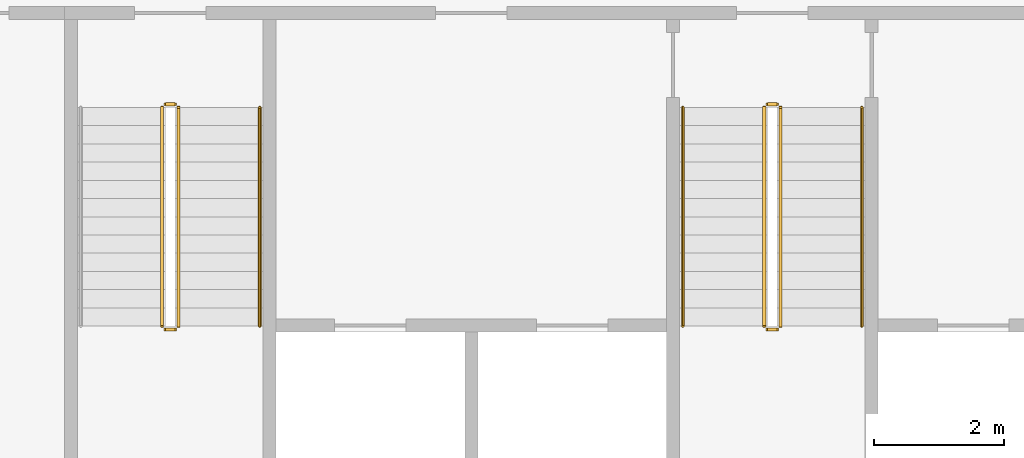
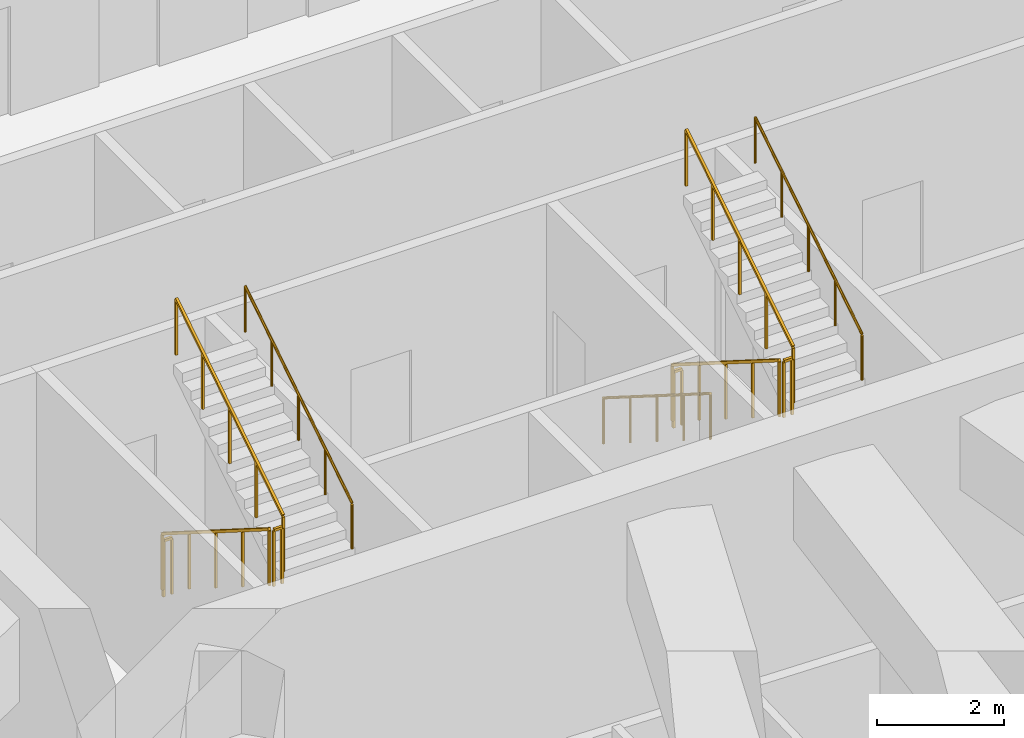
# One storey, part 17 of 20: 11 railings.
"""IFC4 building model written with IfcOpenShell, lengths in metres."""

from ifc_helpers import new_model, si_unit, direction, frame, origin, origin_2d, place, context, subcontext, project, spatial, rectangle, circle, extrude, material, type_object, element, save


model = new_model("IFC4")

# Units and contexts
model_context = context("Model", 3, precision=1e-05, world=origin(), true_north=direction((0.0, 1.0)))
body_context = subcontext(model_context, "Body", "Model", "MODEL_VIEW")
ifc_project = project(units=[si_unit("LENGTHUNIT", "METRE"), si_unit("AREAUNIT", "SQUARE_METRE"), si_unit("VOLUMEUNIT", "CUBIC_METRE"), si_unit("PLANEANGLEUNIT", "RADIAN"), si_unit("MASSUNIT", "GRAM", prefix="KILO")], contexts=[model_context])

# Site, building, storey
site_placement = place(None, origin())
site = spatial("IfcSite", under=ifc_project, at=site_placement, CompositionType="ELEMENT")
building_placement = place(site_placement, origin())
building = spatial("IfcBuilding", under=site, at=building_placement, Name="Mangrove Gate Tower", CompositionType="ELEMENT")
storey_placement = place(building_placement, frame((0.0, 0.0, 252.699951171875)))
storey = spatial("IfcBuildingStorey", under=building, at=storey_placement, Name="L64", CompositionType="ELEMENT", Elevation=252.699951171875)

# Railings
ifc_material_1 = material(Name="Stainless steel 316", Category="steel")
railing_type_1 = type_object("IfcRailingType", Name="Core stair guard 1100", PredefinedType="GUARDRAIL", material=ifc_material_1)
railing_1_placement = place(storey_placement, frame((-9.39990234375, -4.64990234375, 0.177001953125)))
element("IfcRailing", 1, at=railing_1_placement, inside=storey, type_object=railing_type_1, Name="L64 ST1 stair guard 1", PredefinedType="GUARDRAIL", context=body_context, shape_type="SweptSolid", body=[
    extrude(rectangle(XDim=0.048095703125, YDim=0.048095703125, at=origin_2d()), frame((0.0, 0.0, 1.076171875), z_axis=(0.0, -0.845389635667, 0.534150132366), x_axis=(1.0, 0.0, 0.0)), (0.0, 0.0, 1.0), 3.974609375),
    extrude(rectangle(XDim=0.0419921875, YDim=0.0419921875, at=origin_2d()), origin(), (0.0, 0.0, 1.0), 1.052001953125),
    extrude(rectangle(XDim=0.0419921875, YDim=0.0419921875, at=origin_2d()), frame((0.0, -0.840087890625, 0.53076171875)), (0.0, 0.0, 1.0), 1.052001953125),
    extrude(rectangle(XDim=0.0419921875, YDim=0.0419921875, at=origin_2d()), frame((0.0, -1.68017578125, 1.0615234375)), (0.0, 0.0, 1.0), 1.052001953125),
    extrude(rectangle(XDim=0.0419921875, YDim=0.0419921875, at=origin_2d()), frame((0.0, -2.52001953125, 1.59228515625)), (0.0, 0.0, 1.0), 1.052001953125),
    extrude(rectangle(XDim=0.0419921875, YDim=0.0419921875, at=origin_2d()), frame((0.0, -3.360107421875, 2.123046875)), (0.0, 0.0, 1.0), 1.052001953125),
])
railing_2_placement = place(storey_placement, frame((-9.35009765625, -8.06005859375, 2.300048828125)))
element("IfcRailing", 2, at=railing_2_placement, inside=storey, type_object=railing_type_1, Name="L64 ST1 stair guard 2", PredefinedType="GUARDRAIL", context=body_context, shape_type="SweptSolid", body=[
    extrude(rectangle(XDim=0.048095703125, YDim=0.048095703125, at=origin_2d()), frame((0.0, 0.0, 1.076171875), z_axis=(1.0, 0.0, 0.0), x_axis=(0.0, 1.0, 0.0)), (0.0, 0.0, 1.0), 0.150146484375),
    extrude(rectangle(XDim=0.0419921875, YDim=0.0419921875, at=origin_2d()), origin(), (0.0, 0.0, 1.0), 1.052001953125),
    extrude(rectangle(XDim=0.0419921875, YDim=0.0419921875, at=origin_2d()), frame((0.150146484375, 0.0, 0.0)), (0.0, 0.0, 1.0), 1.052001953125),
])
railing_3_placement = place(storey_placement, frame((-9.14990234375, -8.010009765625, 2.47705078125)))
element("IfcRailing", 3, at=railing_3_placement, inside=storey, type_object=railing_type_1, Name="L64 ST1 stair guard 3", PredefinedType="GUARDRAIL", context=body_context, shape_type="SweptSolid", body=[
    extrude(rectangle(XDim=0.048095703125, YDim=0.048095703125, at=origin_2d()), frame((0.0, 0.0, 1.076171875), z_axis=(0.0, 0.845389635667, 0.534150132366), x_axis=(-1.0, 0.0, 0.0)), (0.0, 0.0, 1.0), 3.974609375),
    extrude(rectangle(XDim=0.0419921875, YDim=0.0419921875, at=origin_2d()), origin(), (0.0, 0.0, 1.0), 1.052001953125),
    extrude(rectangle(XDim=0.0419921875, YDim=0.0419921875, at=origin_2d()), frame((0.0, 0.840087890625, 0.53076171875)), (0.0, 0.0, 1.0), 1.052001953125),
    extrude(rectangle(XDim=0.0419921875, YDim=0.0419921875, at=origin_2d()), frame((0.0, 1.68017578125, 1.0615234375)), (0.0, 0.0, 1.0), 1.052001953125),
    extrude(rectangle(XDim=0.0419921875, YDim=0.0419921875, at=origin_2d()), frame((0.0, 2.52001953125, 1.59228515625)), (0.0, 0.0, 1.0), 1.052001953125),
    extrude(rectangle(XDim=0.0419921875, YDim=0.0419921875, at=origin_2d()), frame((0.0, 3.360107421875, 2.123046875)), (0.0, 0.0, 1.0), 1.052001953125),
])
railing_4_placement = place(storey_placement, frame((-9.35009765625, -4.60009765625, 0.0)))
element("IfcRailing", 4, at=railing_4_placement, inside=storey, type_object=railing_type_1, Name="L64 ST1 stair guard 4", PredefinedType="GUARDRAIL", context=body_context, shape_type="SweptSolid", body=[
    extrude(rectangle(XDim=0.048095703125, YDim=0.048095703125, at=origin_2d()), frame((0.0, 0.0, 1.076171875), z_axis=(1.0, 0.0, 0.0), x_axis=(0.0, 1.0, 0.0)), (0.0, 0.0, 1.0), 0.150146484375),
    extrude(rectangle(XDim=0.0419921875, YDim=0.0419921875, at=origin_2d()), origin(), (0.0, 0.0, 1.0), 1.052001953125),
    extrude(rectangle(XDim=0.0419921875, YDim=0.0419921875, at=origin_2d()), frame((0.150146484375, 0.0, 0.0)), (0.0, 0.0, 1.0), 1.052001953125),
])
railing_5_placement = place(storey_placement, frame((-0.14990234375, -4.64990234375, 0.177001953125)))
element("IfcRailing", 5, at=railing_5_placement, inside=storey, type_object=railing_type_1, Name="L64 ST2 stair guard 1", PredefinedType="GUARDRAIL", context=body_context, shape_type="SweptSolid", body=[
    extrude(rectangle(XDim=0.048095703125, YDim=0.048095703125, at=origin_2d()), frame((0.0, 0.0, 1.076171875), z_axis=(0.0, -0.845389635667, 0.534150132366), x_axis=(1.0, 0.0, 0.0)), (0.0, 0.0, 1.0), 3.974609375),
    extrude(rectangle(XDim=0.0419921875, YDim=0.0419921875, at=origin_2d()), origin(), (0.0, 0.0, 1.0), 1.052001953125),
    extrude(rectangle(XDim=0.0419921875, YDim=0.0419921875, at=origin_2d()), frame((0.0, -0.840087890625, 0.53076171875)), (0.0, 0.0, 1.0), 1.052001953125),
    extrude(rectangle(XDim=0.0419921875, YDim=0.0419921875, at=origin_2d()), frame((0.0, -1.68017578125, 1.0615234375)), (0.0, 0.0, 1.0), 1.052001953125),
    extrude(rectangle(XDim=0.0419921875, YDim=0.0419921875, at=origin_2d()), frame((0.0, -2.52001953125, 1.59228515625)), (0.0, 0.0, 1.0), 1.052001953125),
    extrude(rectangle(XDim=0.0419921875, YDim=0.0419921875, at=origin_2d()), frame((0.0, -3.360107421875, 2.123046875)), (0.0, 0.0, 1.0), 1.052001953125),
])
railing_6_placement = place(storey_placement, frame((-0.10009765625, -8.06005859375, 2.300048828125)))
element("IfcRailing", 6, at=railing_6_placement, inside=storey, type_object=railing_type_1, Name="L64 ST2 stair guard 2", PredefinedType="GUARDRAIL", context=body_context, shape_type="SweptSolid", body=[
    extrude(rectangle(XDim=0.048095703125, YDim=0.048095703125, at=origin_2d()), frame((0.0, 0.0, 1.076171875), z_axis=(1.0, 0.0, 0.0), x_axis=(0.0, 1.0, 0.0)), (0.0, 0.0, 1.0), 0.150146484375),
    extrude(rectangle(XDim=0.0419921875, YDim=0.0419921875, at=origin_2d()), origin(), (0.0, 0.0, 1.0), 1.052001953125),
    extrude(rectangle(XDim=0.0419921875, YDim=0.0419921875, at=origin_2d()), frame((0.150146484375, 0.0, 0.0)), (0.0, 0.0, 1.0), 1.052001953125),
])
railing_7_placement = place(storey_placement, frame((0.10009765625, -8.010009765625, 2.47705078125)))
element("IfcRailing", 7, at=railing_7_placement, inside=storey, type_object=railing_type_1, Name="L64 ST2 stair guard 3", PredefinedType="GUARDRAIL", context=body_context, shape_type="SweptSolid", body=[
    extrude(rectangle(XDim=0.048095703125, YDim=0.048095703125, at=origin_2d()), frame((0.0, 0.0, 1.076171875), z_axis=(0.0, 0.845389635667, 0.534150132366), x_axis=(-1.0, 0.0, 0.0)), (0.0, 0.0, 1.0), 3.974609375),
    extrude(rectangle(XDim=0.0419921875, YDim=0.0419921875, at=origin_2d()), origin(), (0.0, 0.0, 1.0), 1.052001953125),
    extrude(rectangle(XDim=0.0419921875, YDim=0.0419921875, at=origin_2d()), frame((0.0, 0.840087890625, 0.53076171875)), (0.0, 0.0, 1.0), 1.052001953125),
    extrude(rectangle(XDim=0.0419921875, YDim=0.0419921875, at=origin_2d()), frame((0.0, 1.68017578125, 1.0615234375)), (0.0, 0.0, 1.0), 1.052001953125),
    extrude(rectangle(XDim=0.0419921875, YDim=0.0419921875, at=origin_2d()), frame((0.0, 2.52001953125, 1.59228515625)), (0.0, 0.0, 1.0), 1.052001953125),
    extrude(rectangle(XDim=0.0419921875, YDim=0.0419921875, at=origin_2d()), frame((0.0, 3.360107421875, 2.123046875)), (0.0, 0.0, 1.0), 1.052001953125),
])
railing_8_placement = place(storey_placement, frame((-0.10009765625, -4.60009765625, 0.0)))
element("IfcRailing", 8, at=railing_8_placement, inside=storey, type_object=railing_type_1, Name="L64 ST2 stair guard 4", PredefinedType="GUARDRAIL", context=body_context, shape_type="SweptSolid", body=[
    extrude(rectangle(XDim=0.048095703125, YDim=0.048095703125, at=origin_2d()), frame((0.0, 0.0, 1.076171875), z_axis=(1.0, 0.0, 0.0), x_axis=(0.0, 1.0, 0.0)), (0.0, 0.0, 1.0), 0.150146484375),
    extrude(rectangle(XDim=0.0419921875, YDim=0.0419921875, at=origin_2d()), origin(), (0.0, 0.0, 1.0), 1.052001953125),
    extrude(rectangle(XDim=0.0419921875, YDim=0.0419921875, at=origin_2d()), frame((0.150146484375, 0.0, 0.0)), (0.0, 0.0, 1.0), 1.052001953125),
])
ifc_material_2 = material(Name="Stainless steel 316", Category="steel")
railing_type_2 = type_object("IfcRailingType", Name="Core stair handrail 900", PredefinedType="HANDRAIL", material=ifc_material_2)
railing_9_placement = place(storey_placement, frame((-7.89990234375, -8.010009765625, 2.47705078125)))
element("IfcRailing", 9, at=railing_9_placement, inside=storey, type_object=railing_type_2, Name="L64 ST1 stair handrail 2", PredefinedType="HANDRAIL", context=body_context, shape_type="SweptSolid", body=[
    extrude(circle(Radius=0.02392578125, at=origin_2d()), frame((0.0, 0.0, 0.8759765625), z_axis=(0.0, 0.845389635667, 0.534150132366), x_axis=(-1.0, 0.0, 0.0)), (0.0, 0.0, 1.0), 3.974609375),
    extrude(circle(Radius=0.02099609375, at=origin_2d()), origin(), (0.0, 0.0, 1.0), 0.851806640625),
    extrude(circle(Radius=0.02099609375, at=origin_2d()), frame((0.0, 0.840087890625, 0.53076171875)), (0.0, 0.0, 1.0), 0.851806640625),
    extrude(circle(Radius=0.02099609375, at=origin_2d()), frame((0.0, 1.68017578125, 1.0615234375)), (0.0, 0.0, 1.0), 0.851806640625),
    extrude(circle(Radius=0.02099609375, at=origin_2d()), frame((0.0, 2.52001953125, 1.59228515625)), (0.0, 0.0, 1.0), 0.851806640625),
    extrude(circle(Radius=0.02099609375, at=origin_2d()), frame((0.0, 3.360107421875, 2.123046875)), (0.0, 0.0, 1.0), 0.851806640625),
])
railing_10_placement = place(storey_placement, frame((-1.39990234375, -4.64990234375, 0.177001953125)))
element("IfcRailing", 10, at=railing_10_placement, inside=storey, type_object=railing_type_2, Name="L64 ST2 stair handrail 1", PredefinedType="HANDRAIL", context=body_context, shape_type="SweptSolid", body=[
    extrude(circle(Radius=0.02392578125, at=origin_2d()), frame((0.0, 0.0, 0.8759765625), z_axis=(0.0, -0.845389635667, 0.534150132366), x_axis=(1.0, 0.0, 0.0)), (0.0, 0.0, 1.0), 3.974609375),
    extrude(circle(Radius=0.02099609375, at=origin_2d()), origin(), (0.0, 0.0, 1.0), 0.851806640625),
    extrude(circle(Radius=0.02099609375, at=origin_2d()), frame((0.0, -0.840087890625, 0.53076171875)), (0.0, 0.0, 1.0), 0.851806640625),
    extrude(circle(Radius=0.02099609375, at=origin_2d()), frame((0.0, -1.68017578125, 1.0615234375)), (0.0, 0.0, 1.0), 0.851806640625),
    extrude(circle(Radius=0.02099609375, at=origin_2d()), frame((0.0, -2.52001953125, 1.59228515625)), (0.0, 0.0, 1.0), 0.851806640625),
    extrude(circle(Radius=0.02099609375, at=origin_2d()), frame((0.0, -3.360107421875, 2.123046875)), (0.0, 0.0, 1.0), 0.851806640625),
])
railing_11_placement = place(storey_placement, frame((1.35009765625, -8.010009765625, 2.47705078125)))
element("IfcRailing", 11, at=railing_11_placement, inside=storey, type_object=railing_type_2, Name="L64 ST2 stair handrail 2", PredefinedType="HANDRAIL", context=body_context, shape_type="SweptSolid", body=[
    extrude(circle(Radius=0.02392578125, at=origin_2d()), frame((0.0, 0.0, 0.8759765625), z_axis=(0.0, 0.845389635667, 0.534150132366), x_axis=(-1.0, 0.0, 0.0)), (0.0, 0.0, 1.0), 3.974609375),
    extrude(circle(Radius=0.02099609375, at=origin_2d()), origin(), (0.0, 0.0, 1.0), 0.851806640625),
    extrude(circle(Radius=0.02099609375, at=origin_2d()), frame((0.0, 0.840087890625, 0.53076171875)), (0.0, 0.0, 1.0), 0.851806640625),
    extrude(circle(Radius=0.02099609375, at=origin_2d()), frame((0.0, 1.68017578125, 1.0615234375)), (0.0, 0.0, 1.0), 0.851806640625),
    extrude(circle(Radius=0.02099609375, at=origin_2d()), frame((0.0, 2.52001953125, 1.59228515625)), (0.0, 0.0, 1.0), 0.851806640625),
    extrude(circle(Radius=0.02099609375, at=origin_2d()), frame((0.0, 3.360107421875, 2.123046875)), (0.0, 0.0, 1.0), 0.851806640625),
])

save(model, "model.ifc")
